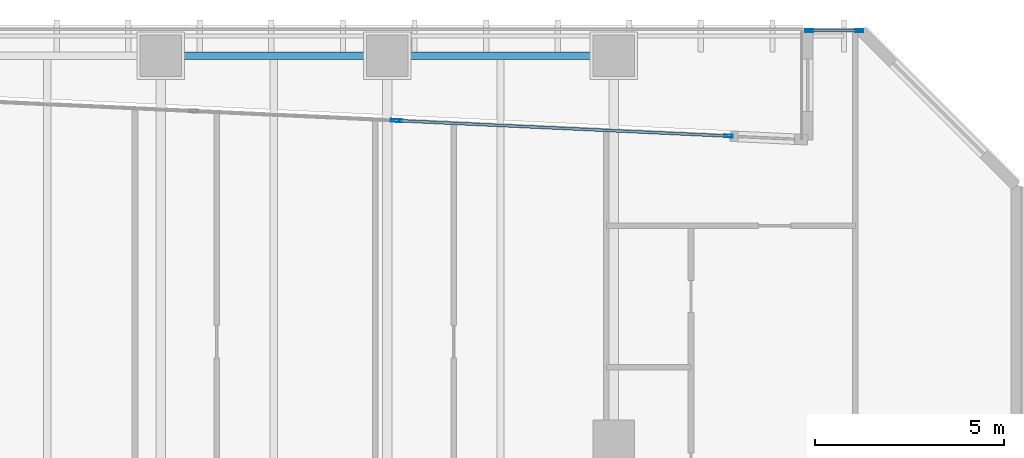
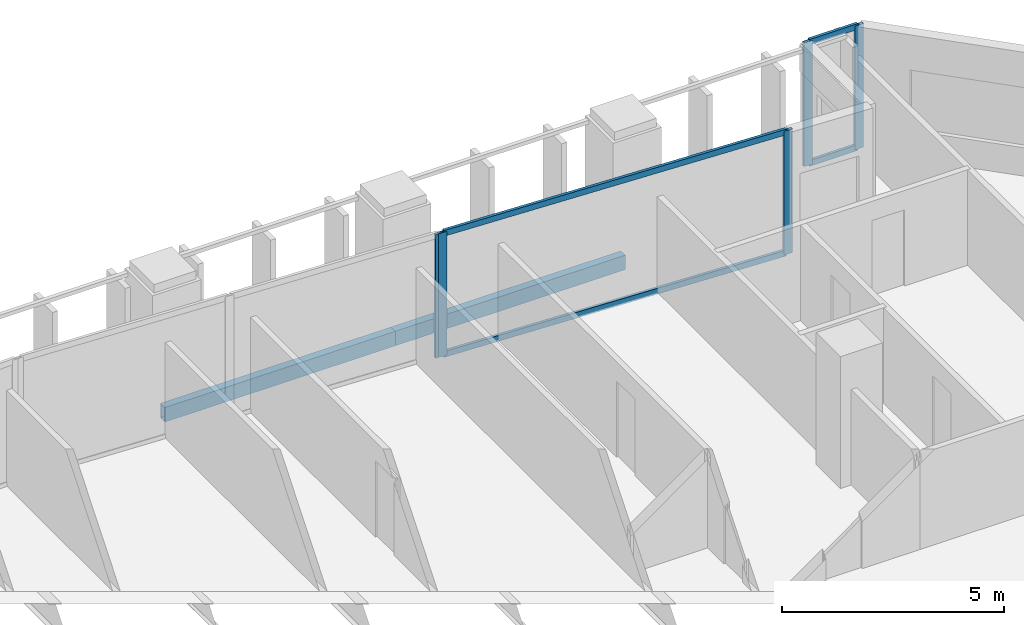
# One storey, part 16 of 31: 9 members, 2 beams, 3 elements without a shape of their own.
"""IFC4 building model written with IfcOpenShell, lengths in metres."""

from ifc_helpers import new_model, si_unit, direction, frame, origin, origin_2d, place, context, subcontext, project, spatial, hollow_rectangle, extrude, material, layer, layer_set, material_profile, profile_set, type_object, element, aggregate, save


model = new_model("IFC4")

# Units and contexts
model_context = context("Model", 3, precision=1e-05, world=origin(), true_north=direction((0.0, 1.0)))
body_context = subcontext(model_context, "Body", "Model", "MODEL_VIEW")
ifc_project = project(units=[si_unit("LENGTHUNIT", "METRE"), si_unit("AREAUNIT", "SQUARE_METRE"), si_unit("VOLUMEUNIT", "CUBIC_METRE"), si_unit("PLANEANGLEUNIT", "RADIAN"), si_unit("MASSUNIT", "GRAM", prefix="KILO")], contexts=[model_context])

# Site, building, storey
site_placement = place(None, origin())
site = spatial("IfcSite", under=ifc_project, at=site_placement, CompositionType="ELEMENT")
building_placement = place(site_placement, origin())
building = spatial("IfcBuilding", under=site, at=building_placement, Name="Tanjung Sevakor Pilgrim Tower", CompositionType="ELEMENT")
storey_placement = place(building_placement, frame((0.0, 0.0, 58.739990234375)))
storey = spatial("IfcBuildingStorey", under=building, at=storey_placement, Name="L16", CompositionType="ELEMENT", Elevation=58.739990234375)

# Beams
ifc_material_1 = material(Name="Steel S355J2", Category="steel")
ifc_material_profile_1 = material_profile(ifc_material_1, hollow_rectangle(XDim=0.199951171875, YDim=0.39990234375, WallThickness=0.01611328125, at=origin_2d()))
ifc_profile_set_1 = profile_set([ifc_material_profile_1], Name="Steel S355J2")
beam_type = type_object("IfcBeamType", Name="BM-B-SP2-RHS_400x200x16", PredefinedType="SPANDREL", material=ifc_profile_set_1)
for number, where, z_axis, x_axis, name in (
    (1, (78.0, 58.800048828125, -0.419921875), (1.0, 0.0, 0.0), (0.0, 1.0, 0.0), "L16 Spandrel MAIN N-16"),
    (2, (84.0, 58.800048828125, -0.419921875), (1.0, 0.0, 0.0), (0.0, 1.0, 0.0), "L16 Spandrel MAIN N-18"),
):
    element("IfcBeam", number, at=place(storey_placement, frame(where, z_axis=z_axis, x_axis=x_axis)), inside=storey, type_object=beam_type, Name=name, PredefinedType="SPANDREL", context=body_context, shape_type="SweptSolid", body=[
        extrude(hollow_rectangle(XDim=0.199951171875, YDim=0.39990234375, WallThickness=0.01611328125, at=origin_2d()), origin(), (0.0, 0.0, 1.0), 6.0),
    ])

# Curtain wall, members
ifc_material_2 = material(Name="Aluminium 6063-T6 and Low-E Glass", Category="aluminium")
ifc_layer = layer(ifc_material_2, 0.199951171875)
ifc_layer_set = layer_set([ifc_layer], Name="CW-SYS-PRAY")
curtain_wall_type = type_object("IfcCurtainWallType", Name="CW-SYS-PRAY", PredefinedType="NOTDEFINED", material=ifc_layer_set)
curtain_wall_1_placement = place(storey_placement, origin())
curtain_wall_1 = element("IfcCurtainWall", 3, at=curtain_wall_1_placement, inside=storey, type_object=curtain_wall_type, Name="L16 Curtain Wall CW-PRY-L16-18", PredefinedType="NOTDEFINED")
ifc_material_3 = material(Name="Aluminium 6063-T6", Category="aluminium")
ifc_material_profile_2 = material_profile(ifc_material_3, hollow_rectangle(XDim=0.074951171875, YDim=0.219970703125, WallThickness=0.0048828125, at=origin_2d()))
ifc_profile_set_2 = profile_set([ifc_material_profile_2], Name="Aluminium 6063-T6")
member_type_1 = type_object("IfcMemberType", Name="TYPE-CWM-2", PredefinedType="MULLION", material=ifc_profile_set_2)
member_1_placement = place(storey_placement, frame((96.50439453125, 59.4599609375, 0.0), z_axis=(0.0, 0.0, 1.0), x_axis=(0.0, -1.0, 0.0)))
member_1 = element("IfcMember", 4, at=member_1_placement, type_object=member_type_1, Name="CW-PRY mullion 1", PredefinedType="MULLION", context=body_context, shape_type="SweptSolid", body=[
    extrude(hollow_rectangle(XDim=0.074951171875, YDim=0.219970703125, WallThickness=0.0048828125, at=origin_2d()), origin(), (0.0, 0.0, 1.0), 3.409912109375),
])
member_2_placement = place(storey_placement, frame((95.177490234375, 59.4599609375, 0.0), z_axis=(0.0, 0.0, 1.0), x_axis=(0.0, -1.0, 0.0)))
member_2 = element("IfcMember", 5, at=member_2_placement, type_object=member_type_1, Name="CW-PRY mullion 2", PredefinedType="MULLION", context=body_context, shape_type="SweptSolid", body=[
    extrude(hollow_rectangle(XDim=0.074951171875, YDim=0.219970703125, WallThickness=0.0048828125, at=origin_2d()), origin(), (0.0, 0.0, 1.0), 3.409912109375),
])

curtain_wall_2_placement = place(storey_placement, origin())
curtain_wall_2 = element("IfcCurtainWall", 6, at=curtain_wall_2_placement, inside=storey, type_object=curtain_wall_type, Name="L16 Curtain Wall CW-PRY-L16-20B", PredefinedType="NOTDEFINED")
member_3_placement = place(storey_placement, frame((93.044677734375, 56.670654296875, 0.0), z_axis=(0.0, 0.0, 1.0), x_axis=(-0.046472414343, -0.998919573692, 0.0)))
member_3 = element("IfcMember", 7, at=member_3_placement, type_object=member_type_1, Name="CW-PRY mullion 1", PredefinedType="MULLION", context=body_context, shape_type="SweptSolid", body=[
    extrude(hollow_rectangle(XDim=0.074951171875, YDim=0.219970703125, WallThickness=0.0048828125, at=origin_2d()), origin(), (0.0, 0.0, 1.0), 3.409912109375),
])
member_4_placement = place(storey_placement, frame((84.281005859375, 57.078369140625, 0.0), z_axis=(0.0, 0.0, 1.0), x_axis=(-0.046472414343, -0.998919573692, 0.0)))
member_4 = element("IfcMember", 8, at=member_4_placement, type_object=member_type_1, Name="CW-PRY mullion 2", PredefinedType="MULLION", context=body_context, shape_type="SweptSolid", body=[
    extrude(hollow_rectangle(XDim=0.074951171875, YDim=0.219970703125, WallThickness=0.0048828125, at=origin_2d()), origin(), (0.0, 0.0, 1.0), 3.409912109375),
])

# Curtain wall, member
curtain_wall_3_placement = place(storey_placement, origin())
curtain_wall_3 = element("IfcCurtainWall", 9, at=curtain_wall_3_placement, inside=storey, type_object=curtain_wall_type, Name="L16 Curtain Wall CW-PRY-L16-21", PredefinedType="NOTDEFINED")
member_5_placement = place(storey_placement, frame((84.2060546875, 57.08203125, 0.0), z_axis=(0.0, 0.0, 1.0), x_axis=(-0.046452337274, -0.998920507529, 0.0)))
member_5 = element("IfcMember", 10, at=member_5_placement, type_object=member_type_1, Name="CW-PRY mullion 1", PredefinedType="MULLION", context=body_context, shape_type="SweptSolid", body=[
    extrude(hollow_rectangle(XDim=0.074951171875, YDim=0.219970703125, WallThickness=0.0048828125, at=origin_2d()), origin(), (0.0, 0.0, 1.0), 3.409912109375),
])
aggregate(curtain_wall_3, [member_5])

# Member
ifc_material_4 = material(Name="Aluminium 6063-T6", Category="aluminium")
ifc_material_profile_3 = material_profile(ifc_material_4, hollow_rectangle(XDim=0.074951171875, YDim=0.159912109375, WallThickness=0.00439453125, at=origin_2d()))
ifc_profile_set_3 = profile_set([ifc_material_profile_3], Name="Aluminium 6063-T6")
member_type_2 = type_object("IfcMemberType", Name="TYPE-CWT-2", PredefinedType="USERDEFINED", material=ifc_profile_set_3)
member_6_placement = place(storey_placement, frame((96.467041015625, 59.4599609375, 0.03759765625), z_axis=(-1.0, 0.0, 0.0), x_axis=(0.0, -1.0, 0.0)))
member_6 = element("IfcMember", 11, at=member_6_placement, type_object=member_type_2, Name="CW-PRY transom 1.1", ObjectType="TRANSOM", PredefinedType="USERDEFINED", context=body_context, shape_type="SweptSolid", body=[
    extrude(hollow_rectangle(XDim=0.074951171875, YDim=0.159912109375, WallThickness=0.00439453125, at=origin_2d()), origin(), (0.0, 0.0, 1.0), 1.251953125),
])

member_7_placement = place(storey_placement, frame((96.467041015625, 59.4599609375, 3.37255859375), z_axis=(-1.0, 0.0, 0.0), x_axis=(0.0, -1.0, 0.0)))
member_7 = element("IfcMember", 12, at=member_7_placement, type_object=member_type_2, Name="CW-PRY transom 1.2", ObjectType="TRANSOM", PredefinedType="USERDEFINED", context=body_context, shape_type="SweptSolid", body=[
    extrude(hollow_rectangle(XDim=0.074951171875, YDim=0.159912109375, WallThickness=0.00439453125, at=origin_2d()), origin(), (0.0, 0.0, 1.0), 1.251953125),
])

aggregate(curtain_wall_1, [member_1, member_2, member_6, member_7])

member_8_placement = place(storey_placement, frame((93.00732421875, 56.672607421875, 0.03759765625), z_axis=(-0.998920540441, 0.046451629515, 0.0), x_axis=(-0.046451629515, -0.998920540441, 0.0)))
member_8 = element("IfcMember", 13, at=member_8_placement, type_object=member_type_2, Name="CW-PRY transom 1.1", ObjectType="TRANSOM", PredefinedType="USERDEFINED", context=body_context, shape_type="SweptSolid", body=[
    extrude(hollow_rectangle(XDim=0.074951171875, YDim=0.159912109375, WallThickness=0.00439453125, at=origin_2d()), origin(), (0.0, 0.0, 1.0), 8.6982421875),
])

member_9_placement = place(storey_placement, frame((93.00732421875, 56.672607421875, 3.37255859375), z_axis=(-0.998920540441, 0.046451629515, 0.0), x_axis=(-0.046451629515, -0.998920540441, 0.0)))
member_9 = element("IfcMember", 14, at=member_9_placement, type_object=member_type_2, Name="CW-PRY transom 1.2", ObjectType="TRANSOM", PredefinedType="USERDEFINED", context=body_context, shape_type="SweptSolid", body=[
    extrude(hollow_rectangle(XDim=0.074951171875, YDim=0.159912109375, WallThickness=0.00439453125, at=origin_2d()), origin(), (0.0, 0.0, 1.0), 8.6982421875),
])

aggregate(curtain_wall_2, [member_3, member_4, member_8, member_9])

save(model, "model.ifc")
